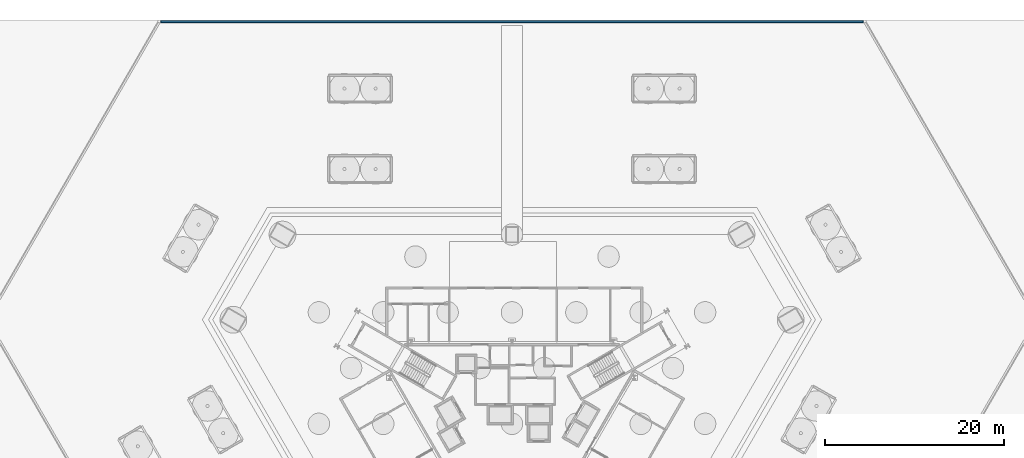
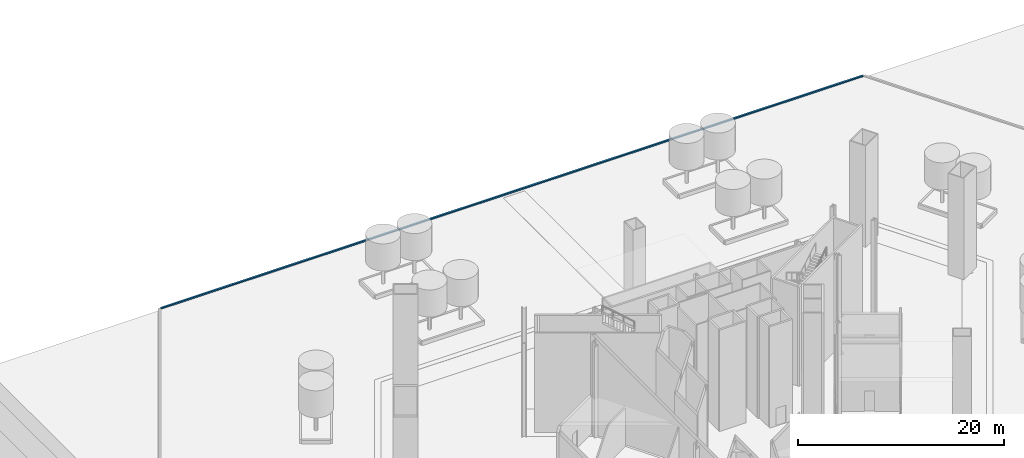
# One storey, part 11 of 22: 1 wall.
"""IFC4 building model written with IfcOpenShell, lengths in metres."""

from ifc_helpers import new_model, si_unit, direction, frame, frame_2d, origin, place, context, subcontext, project, spatial, rectangle, extrude, material, layer, layer_set, type_object, element, save


model = new_model("IFC4")

# Units and contexts
model_context = context("Model", 3, precision=1e-05, world=origin(), true_north=direction((0.0, 1.0)))
body_context = subcontext(model_context, "Body", "Model", "MODEL_VIEW")
ifc_project = project(units=[si_unit("LENGTHUNIT", "METRE"), si_unit("AREAUNIT", "SQUARE_METRE"), si_unit("VOLUMEUNIT", "CUBIC_METRE"), si_unit("PLANEANGLEUNIT", "RADIAN"), si_unit("MASSUNIT", "GRAM", prefix="KILO")], contexts=[model_context])

# Site, building, storey
site_placement = place(None, origin())
site = spatial("IfcSite", under=ifc_project, at=site_placement, CompositionType="ELEMENT")
building_placement = place(site_placement, origin())
building = spatial("IfcBuilding", under=site, at=building_placement, Name="Verrane Prism Tower", CompositionType="ELEMENT")
storey_placement = place(building_placement, origin())
storey = spatial("IfcBuildingStorey", under=building, at=storey_placement, Name="L00", CompositionType="ELEMENT", Elevation=0.0)

# Wall
ifc_material = material(Name="Granite kerb on concrete C25/30", Category="masonry")
ifc_layer = layer(ifc_material, 0.199951171875)
ifc_layer_set = layer_set([ifc_layer], Name="KB-200 granite kerb")
wall_type = type_object("IfcWallType", Name="KB-200 granite kerb", PredefinedType="SOLIDWALL", material=ifc_layer_set)
wall_placement = place(storey_placement, frame((39.308349609375, 44.969970703125, 0.0), z_axis=(0.0, 0.0, 1.0), x_axis=(-1.0, 0.0, 0.0)))
element("IfcWall", 1, at=wall_placement, inside=storey, type_object=wall_type, Name="Plaza kerb 1", PredefinedType="SOLIDWALL", context=body_context, shape_type="SweptSolid", body=[
    extrude(rectangle(XDim=78.61669921875, YDim=0.199951171875, at=frame_2d((39.308349609375, 0.0))), origin(), (0.0, 0.0, 1.0), 0.14990234375),
])

save(model, "model.ifc")
